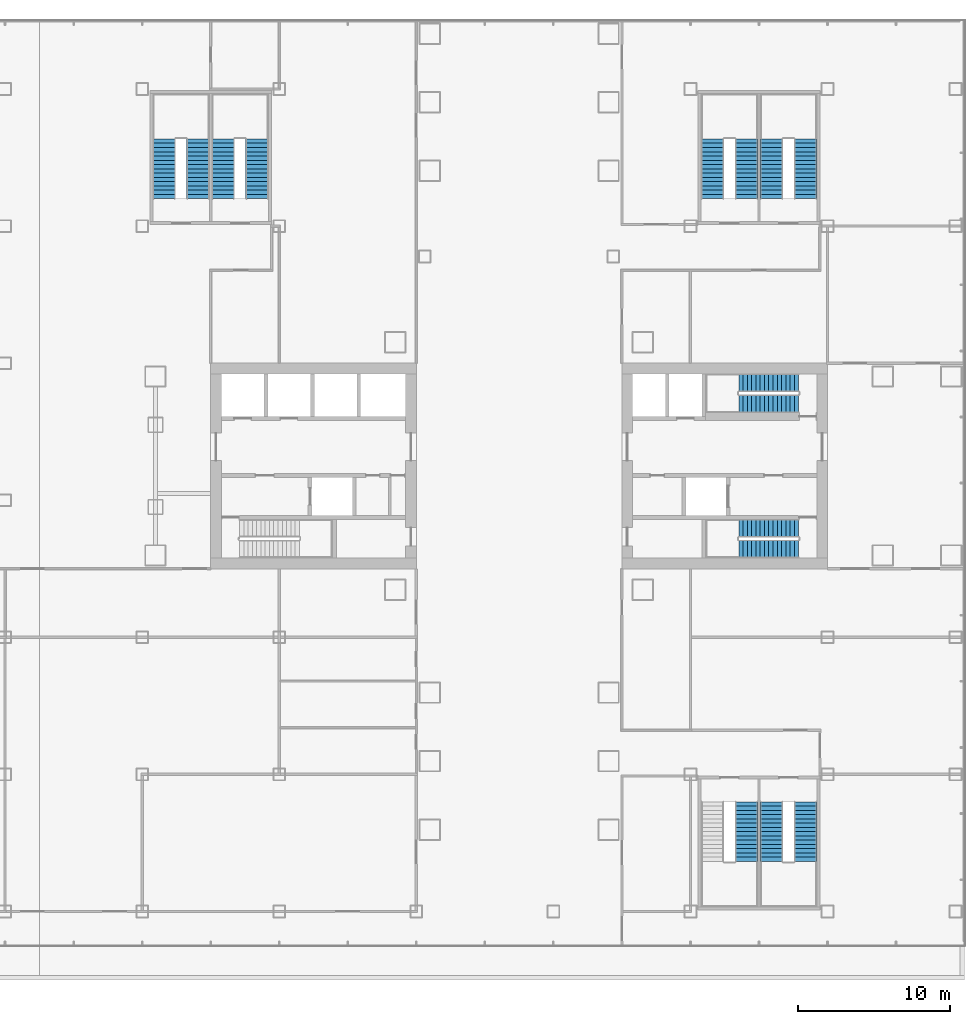
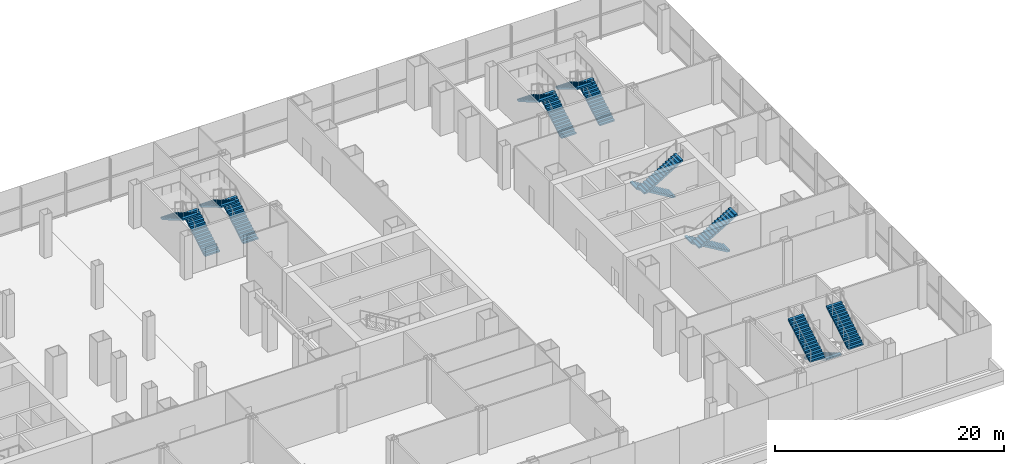
# One storey, part 25 of 30: 15 stair flights, 8 elements without a shape of their own.
"""IFC4 building model written with IfcOpenShell, lengths in metres."""

import ifcopenshell
import ifcopenshell.guid

model = None  # the IFC model being written
_history = None  # IfcOwnerHistory: only IFC2X3 demands one
_inside = {}  # id of a spatial element -> (the spatial element, [elements in it])
_under = {}  # id of a project, library or spatial element -> (it, [spatial elements below it])
_declared = {}  # id of a project -> (the project, [libraries it declares])
_typed = {}  # id of a type object -> (the type object, [elements of that type])
_made_of = {}  # id of a material, layer set ... -> (it, [elements and type objects made of it])


def new_model(schema):
    """Start an empty IFC model of exactly this schema.

    Asked for "IFC4X3", IfcOpenShell would pick the latest addendum, in which some entities
    have other attributes; the version numbers below select the first issue.
    IFC2X3 requires an IfcOwnerHistory on every rooted entity: one is made here for all.
    """
    global model, _history
    if schema == "IFC4X3":
        model = ifcopenshell.file(schema_version=(4, 3, 0, 0))
    else:
        model = ifcopenshell.file(schema=schema)
    _inside.clear()
    _under.clear()
    _declared.clear()
    _typed.clear()
    _made_of.clear()
    _history = None
    if model.schema == "IFC2X3":
        org = make("IfcOrganization", Name="unknown")
        user = make(
            "IfcPersonAndOrganization",
            ThePerson=make("IfcPerson", FamilyName="unknown"),
            TheOrganization=org,
        )
        app = make(
            "IfcApplication",
            ApplicationDeveloper=org,
            Version="unknown",
            ApplicationFullName="unknown",
            ApplicationIdentifier="unknown",
        )
        _history = make(
            "IfcOwnerHistory",
            OwningUser=user,
            OwningApplication=app,
            ChangeAction="ADDED",
            CreationDate=0,
        )
    return model


def make(cls, **values):
    """One entity of the class cls with the attributes given. An attribute that is None is left unset."""
    return model.create_entity(
        cls, **{name: value for name, value in values.items() if value is not None}
    )


def rooted(cls, **values):
    """An entity with a GlobalId (a new one), such as an element, a storey or a relation."""
    return make(cls, GlobalId=ifcopenshell.guid.new(), OwnerHistory=_history, **values)


def si_unit(unit_type, name, prefix=None):
    """IfcSIUnit, for example si_unit("LENGTHUNIT", "METRE", prefix="MILLI")."""
    return make("IfcSIUnit", UnitType=unit_type, Prefix=prefix, Name=name)


def assignment(units):
    """IfcUnitAssignment: the units of a project."""
    return None if units is None else make("IfcUnitAssignment", Units=units)


def point(xyz):
    """IfcCartesianPoint."""
    return None if xyz is None else make("IfcCartesianPoint", Coordinates=xyz)


def direction(xyz):
    """IfcDirection."""
    return None if xyz is None else make("IfcDirection", DirectionRatios=xyz)


def frame(location, z_axis=None, x_axis=None):
    """IfcAxis2Placement3D, a coordinate frame: its origin and axes. An axis left out is left unset."""
    return make(
        "IfcAxis2Placement3D",
        Location=point(location),
        Axis=direction(z_axis),
        RefDirection=direction(x_axis),
    )


def origin():
    """The frame at (0, 0, 0) with its axes left unset."""
    return frame((0.0, 0.0, 0.0))


def place(relative_to, where):
    """IfcLocalPlacement: puts the frame where relative to a parent placement (None: the world)."""
    return make(
        "IfcLocalPlacement", PlacementRelTo=relative_to, RelativePlacement=where
    )


def context(
    kind, dimensions, precision=None, world=None, true_north=None, identifier=None
):
    """IfcGeometricRepresentationContext, for example the 3D "Model" context."""
    return make(
        "IfcGeometricRepresentationContext",
        ContextIdentifier=identifier,
        ContextType=kind,
        CoordinateSpaceDimension=dimensions,
        Precision=precision,
        WorldCoordinateSystem=world,
        TrueNorth=true_north,
    )


def subcontext(parent, identifier, kind, view, scale=None):
    """IfcGeometricRepresentationSubContext, for example "Body" below "Model"."""
    return make(
        "IfcGeometricRepresentationSubContext",
        ContextIdentifier=identifier,
        ContextType=kind,
        ParentContext=parent,
        TargetScale=scale,
        TargetView=view,
    )


def project(units=None, contexts=None):
    """IfcProject with its units and contexts."""
    return rooted(
        "IfcProject",
        Name="project",
        RepresentationContexts=contexts,
        UnitsInContext=assignment(units),
    )


def spatial(cls, under=None, at=None, **own):
    """A site, building, storey or space (cls), placed at a placement, below another one or the project."""
    s = rooted(cls, ObjectPlacement=at, **own)
    if under is not None:
        _under.setdefault(under.id(), (under, []))[1].append(s)
    return s


def polyline(points):
    """IfcPolyline through the points."""
    return make("IfcPolyline", Points=[point(p) for p in points])


def outline(outer, holes=None, kind="AREA"):
    """IfcArbitraryClosedProfileDef: a profile drawn as a closed curve; with holes, ...WithVoids."""
    if holes is None:
        return make("IfcArbitraryClosedProfileDef", ProfileType=kind, OuterCurve=outer)
    return make(
        "IfcArbitraryProfileDefWithVoids",
        ProfileType=kind,
        OuterCurve=outer,
        InnerCurves=holes,
    )


def extrude(swept, where, along, depth):
    """IfcExtrudedAreaSolid: the profile swept, set in the frame where, extruded along a direction by depth."""
    return make(
        "IfcExtrudedAreaSolid",
        SweptArea=swept,
        Position=where,
        ExtrudedDirection=direction(along),
        Depth=depth,
    )


def shape(context_of_items, identifier, shape_type, items):
    """IfcShapeRepresentation: the items that make up one representation, for example the "Body"."""
    return make(
        "IfcShapeRepresentation",
        ContextOfItems=context_of_items,
        RepresentationIdentifier=identifier,
        RepresentationType=shape_type,
        Items=items,
    )


def material(Name=None, Category=None):
    """IfcMaterial."""
    return make("IfcMaterial", Name=Name, Category=Category)


def made_of(thing, what):
    """Note that an element or type object is made of a material, layer set ...; save() writes the relation."""
    if what is not None:
        _made_of.setdefault(what.id(), (what, []))[1].append(thing)
    return thing


def type_object(cls, material=None, **own):
    """A type object (cls), such as IfcWallType, which elements share."""
    return made_of(rooted(cls, **own), material)


def element(
    cls,
    number,
    at=None,
    inside=None,
    cuts=None,
    type_object=None,
    material=None,
    context=None,
    identifier="Body",
    shape_type=None,
    held_by="IfcProductDefinitionShape",
    body=None,
    shapes=None,
    **own,
):
    """One element of the class cls, such as IfcWall. Its Tag is "e" and its number.

    at: its placement. inside: the storey or other place that contains it. cuts: it is an
    opening in that element (IfcRelVoidsElement). A single representation is given by context,
    identifier, shape_type and body (its items); several are given by shapes. held_by: the class
    of the entity that holds the representations. save() writes the other relations.
    """
    e = rooted(cls, Tag="e%d" % number, ObjectPlacement=at, **own)
    if body is not None:
        shapes = [shape(context, identifier, shape_type, body)]
    if shapes is not None:
        e.Representation = make(held_by, Representations=shapes)
    if inside is not None:
        _inside.setdefault(inside.id(), (inside, []))[1].append(e)
    if cuts is not None:
        rooted(
            "IfcRelVoidsElement", RelatingBuildingElement=cuts, RelatedOpeningElement=e
        )
    if type_object is not None:
        _typed.setdefault(type_object.id(), (type_object, []))[1].append(e)
    return made_of(e, material)


def aggregate(whole, parts):
    """IfcRelAggregates: a whole, such as a stair, and the parts it consists of."""
    return rooted("IfcRelAggregates", RelatingObject=whole, RelatedObjects=parts)


def save(model, path):
    """Write the relations noted so far, then the file.

    IfcRelAggregates (storeys below a building ...), IfcRelContainedInSpatialStructure (elements
    in a storey), IfcRelDefinesByType, IfcRelAssociatesMaterial and IfcRelDeclares: one each for
    every whole, place, type object, material and project.
    """
    for whole, parts in _under.values():
        aggregate(whole, parts)
    for where, things in _inside.values():
        rooted(
            "IfcRelContainedInSpatialStructure",
            RelatedElements=things,
            RelatingStructure=where,
        )
    for kind, things in _typed.values():
        rooted("IfcRelDefinesByType", RelatedObjects=things, RelatingType=kind)
    for what, things in _made_of.values():
        rooted("IfcRelAssociatesMaterial", RelatedObjects=things, RelatingMaterial=what)
    for by, libraries in _declared.values():
        rooted("IfcRelDeclares", RelatingContext=by, RelatedDefinitions=libraries)
    model.write(path)


model = new_model("IFC4")

# Units and contexts
model_context = context("Model", 3, precision=1e-05, world=origin(), true_north=direction((0.0, 1.0)))
body_context = subcontext(model_context, "Body", "Model", "MODEL_VIEW")
ifc_project = project(units=[si_unit("LENGTHUNIT", "METRE"), si_unit("AREAUNIT", "SQUARE_METRE"), si_unit("VOLUMEUNIT", "CUBIC_METRE"), si_unit("PLANEANGLEUNIT", "RADIAN"), si_unit("MASSUNIT", "GRAM", prefix="KILO")], contexts=[model_context])

# Site, building, storey
site_placement = place(None, origin())
site = spatial("IfcSite", under=ifc_project, at=site_placement, CompositionType="ELEMENT")
building_placement = place(site_placement, origin())
building = spatial("IfcBuilding", under=site, at=building_placement, Name="Shamsa Quay Exchange Towers", CompositionType="ELEMENT")
storey_placement = place(building_placement, frame((0.0, 0.0, 23.5)))
storey = spatial("IfcBuildingStorey", under=building, at=storey_placement, Name="L04", CompositionType="ELEMENT", Elevation=23.5)

# Stair, stair flights
ifc_material = material(Name="Concrete C40/50", Category="concrete")
stair_type_1 = type_object("IfcStairType", Name="EXIT STAIR 30 RISERS 167 MM", PredefinedType="HALF_TURN_STAIR", material=ifc_material)
stair_1_placement = place(storey_placement, origin())
stair_1 = element("IfcStair", 1, at=stair_1_placement, inside=storey, type_object=stair_type_1, Name="L04 Exit stair ST5", PredefinedType="HALF_TURN_STAIR")
stair_flight_type_1 = type_object("IfcStairFlightType", Name="EXIT STAIR FLIGHT 15 RISERS 167 MM", PredefinedType="STRAIGHT", material=ifc_material)
stair_flight_1_placement = place(storey_placement, frame((52.10009765625, -4.10009765625, 0.0), z_axis=(0.0, 0.0, 1.0), x_axis=(-1.0, 0.0, 0.0)))
stair_flight_1 = element("IfcStairFlight", 2, at=stair_flight_1_placement, type_object=stair_flight_type_1, Name="ST5 flight 1", NumberOfRisers=15, NumberOfTreads=14, PredefinedType="STRAIGHT", RiserHeight=0.166666667, TreadLength=0.28, context=body_context, shape_type="SweptSolid", body=[
    extrude(outline(polyline([(0.0, 0.0), (0.0, 0.166748046875), (0.280029296875, 0.166748046875), (0.280029296875, 0.333251953125), (0.56005859375, 0.333251953125), (0.56005859375, 0.5), (0.840087890625, 0.5), (0.840087890625, 0.666748046875), (1.1201171875, 0.666748046875), (1.1201171875, 0.833251953125), (1.39990234375, 0.833251953125), (1.39990234375, 1.0), (1.679931640625, 1.0), (1.679931640625, 1.166748046875), (1.9599609375, 1.166748046875), (1.9599609375, 1.333251953125), (2.239990234375, 1.333251953125), (2.239990234375, 1.5), (2.52001953125, 1.5), (2.52001953125, 1.666748046875), (2.800048828125, 1.666748046875), (2.800048828125, 1.833251953125), (3.080078125, 1.833251953125), (3.080078125, 2.0), (3.360107421875, 2.0), (3.360107421875, 2.166748046875), (3.639892578125, 2.166748046875), (3.639892578125, 2.333251953125), (3.919921875, 2.333251953125), (3.919921875, 2.5), (3.919921875, 2.170654296875), (0.2734375, 0.0), (0.0, 0.0)])), frame((0.0, 0.60009765625, 0.0), z_axis=(0.0, -1.0, 0.0), x_axis=(1.0, 0.0, 0.0)), (0.0, 0.0, 1.0), 1.199951171875),
])
stair_flight_2_placement = place(storey_placement, frame((48.179931640625, -5.449951171875, 2.5)))
stair_flight_2 = element("IfcStairFlight", 3, at=stair_flight_2_placement, type_object=stair_flight_type_1, Name="ST5 flight 2", NumberOfRisers=15, NumberOfTreads=14, PredefinedType="STRAIGHT", RiserHeight=0.166666667, TreadLength=0.28, context=body_context, shape_type="SweptSolid", body=[
    extrude(outline(polyline([(0.0, 0.0), (0.0, 0.166748046875), (0.280029296875, 0.166748046875), (0.280029296875, 0.333251953125), (0.56005859375, 0.333251953125), (0.56005859375, 0.5), (0.840087890625, 0.5), (0.840087890625, 0.666748046875), (1.1201171875, 0.666748046875), (1.1201171875, 0.833251953125), (1.39990234375, 0.833251953125), (1.39990234375, 1.0), (1.679931640625, 1.0), (1.679931640625, 1.166748046875), (1.9599609375, 1.166748046875), (1.9599609375, 1.333251953125), (2.239990234375, 1.333251953125), (2.239990234375, 1.5), (2.52001953125, 1.5), (2.52001953125, 1.666748046875), (2.800048828125, 1.666748046875), (2.800048828125, 1.833251953125), (3.080078125, 1.833251953125), (3.080078125, 2.0), (3.360107421875, 2.0), (3.360107421875, 2.166748046875), (3.639892578125, 2.166748046875), (3.639892578125, 2.333251953125), (3.919921875, 2.333251953125), (3.919921875, 2.5), (3.919921875, 2.170654296875), (0.2734375, 0.0), (0.0, 0.0)])), frame((0.0, 0.60009765625, 0.0), z_axis=(0.0, -1.0, 0.0), x_axis=(1.0, 0.0, 0.0)), (0.0, 0.0, 1.0), 1.199951171875),
])
aggregate(stair_1, [stair_flight_1, stair_flight_2])

stair_2_placement = place(storey_placement, origin())
stair_2 = element("IfcStair", 4, at=stair_2_placement, inside=storey, type_object=stair_type_1, Name="L04 Exit stair ST6", PredefinedType="HALF_TURN_STAIR")
stair_flight_3_placement = place(storey_placement, frame((52.10009765625, 5.449951171875, 0.0), z_axis=(0.0, 0.0, 1.0), x_axis=(-1.0, 0.0, 0.0)))
stair_flight_3 = element("IfcStairFlight", 5, at=stair_flight_3_placement, type_object=stair_flight_type_1, Name="ST6 flight 1", NumberOfRisers=15, NumberOfTreads=14, PredefinedType="STRAIGHT", RiserHeight=0.166666667, TreadLength=0.28, context=body_context, shape_type="SweptSolid", body=[
    extrude(outline(polyline([(0.0, 0.0), (0.0, 0.166748046875), (0.280029296875, 0.166748046875), (0.280029296875, 0.333251953125), (0.56005859375, 0.333251953125), (0.56005859375, 0.5), (0.840087890625, 0.5), (0.840087890625, 0.666748046875), (1.1201171875, 0.666748046875), (1.1201171875, 0.833251953125), (1.39990234375, 0.833251953125), (1.39990234375, 1.0), (1.679931640625, 1.0), (1.679931640625, 1.166748046875), (1.9599609375, 1.166748046875), (1.9599609375, 1.333251953125), (2.239990234375, 1.333251953125), (2.239990234375, 1.5), (2.52001953125, 1.5), (2.52001953125, 1.666748046875), (2.800048828125, 1.666748046875), (2.800048828125, 1.833251953125), (3.080078125, 1.833251953125), (3.080078125, 2.0), (3.360107421875, 2.0), (3.360107421875, 2.166748046875), (3.639892578125, 2.166748046875), (3.639892578125, 2.333251953125), (3.919921875, 2.333251953125), (3.919921875, 2.5), (3.919921875, 2.170654296875), (0.2734375, 0.0), (0.0, 0.0)])), frame((0.0, 0.60009765625, 0.0), z_axis=(0.0, -1.0, 0.0), x_axis=(1.0, 0.0, 0.0)), (0.0, 0.0, 1.0), 1.199951171875),
])
stair_flight_4_placement = place(storey_placement, frame((48.179931640625, 4.10009765625, 2.5)))
stair_flight_4 = element("IfcStairFlight", 6, at=stair_flight_4_placement, type_object=stair_flight_type_1, Name="ST6 flight 2", NumberOfRisers=15, NumberOfTreads=14, PredefinedType="STRAIGHT", RiserHeight=0.166666667, TreadLength=0.28, context=body_context, shape_type="SweptSolid", body=[
    extrude(outline(polyline([(0.0, 0.0), (0.0, 0.166748046875), (0.280029296875, 0.166748046875), (0.280029296875, 0.333251953125), (0.56005859375, 0.333251953125), (0.56005859375, 0.5), (0.840087890625, 0.5), (0.840087890625, 0.666748046875), (1.1201171875, 0.666748046875), (1.1201171875, 0.833251953125), (1.39990234375, 0.833251953125), (1.39990234375, 1.0), (1.679931640625, 1.0), (1.679931640625, 1.166748046875), (1.9599609375, 1.166748046875), (1.9599609375, 1.333251953125), (2.239990234375, 1.333251953125), (2.239990234375, 1.5), (2.52001953125, 1.5), (2.52001953125, 1.666748046875), (2.800048828125, 1.666748046875), (2.800048828125, 1.833251953125), (3.080078125, 1.833251953125), (3.080078125, 2.0), (3.360107421875, 2.0), (3.360107421875, 2.166748046875), (3.639892578125, 2.166748046875), (3.639892578125, 2.333251953125), (3.919921875, 2.333251953125), (3.919921875, 2.5), (3.919921875, 2.170654296875), (0.2734375, 0.0), (0.0, 0.0)])), frame((0.0, 0.60009765625, 0.0), z_axis=(0.0, -1.0, 0.0), x_axis=(1.0, 0.0, 0.0)), (0.0, 0.0, 1.0), 1.199951171875),
])
aggregate(stair_2, [stair_flight_3, stair_flight_4])

stair_type_2 = type_object("IfcStairType", Name="PODIUM EXIT STAIR 30 RISERS 167 MM 1500 WIDE", PredefinedType="HALF_TURN_STAIR", material=ifc_material)
stair_3_placement = place(storey_placement, origin())
stair_3 = element("IfcStair", 7, at=stair_3_placement, inside=storey, type_object=stair_type_2, Name="L04 Exit stair PS3A", PredefinedType="HALF_TURN_STAIR")
stair_flight_type_2 = type_object("IfcStairFlightType", Name="PODIUM EXIT STAIR FLIGHT 15 RISERS 167 MM 1500 WIDE", PredefinedType="STRAIGHT", material=ifc_material)
stair_flight_5_placement = place(storey_placement, frame((12.675048828125, 17.550048828125, 0.0), z_axis=(0.0, 0.0, 1.0), x_axis=(0.0, 1.0, 0.0)))
stair_flight_5 = element("IfcStairFlight", 8, at=stair_flight_5_placement, type_object=stair_flight_type_2, Name="PS3A flight 1", NumberOfRisers=15, NumberOfTreads=14, PredefinedType="STRAIGHT", RiserHeight=0.166666667, TreadLength=0.28, context=body_context, shape_type="SweptSolid", body=[
    extrude(outline(polyline([(0.0, 0.0), (0.0, 0.166748046875), (0.280029296875, 0.166748046875), (0.280029296875, 0.333251953125), (0.56005859375, 0.333251953125), (0.56005859375, 0.5), (0.840087890625, 0.5), (0.840087890625, 0.666748046875), (1.1201171875, 0.666748046875), (1.1201171875, 0.833251953125), (1.39990234375, 0.833251953125), (1.39990234375, 1.0), (1.679931640625, 1.0), (1.679931640625, 1.166748046875), (1.9599609375, 1.166748046875), (1.9599609375, 1.333251953125), (2.239990234375, 1.333251953125), (2.239990234375, 1.5), (2.52001953125, 1.5), (2.52001953125, 1.666748046875), (2.800048828125, 1.666748046875), (2.800048828125, 1.833251953125), (3.080078125, 1.833251953125), (3.080078125, 2.0), (3.360107421875, 2.0), (3.360107421875, 2.166748046875), (3.639892578125, 2.166748046875), (3.639892578125, 2.333251953125), (3.919921875, 2.333251953125), (3.919921875, 2.5), (3.919921875, 2.158935546875), (0.29296875, 0.0), (0.0, 0.0)])), frame((0.0, 0.75, 0.0), z_axis=(0.0, -1.0, 0.0), x_axis=(1.0, 0.0, 0.0)), (0.0, 0.0, 1.0), 1.5),
])
stair_flight_6_placement = place(storey_placement, frame((10.449951171875, 21.469970703125, 2.5), z_axis=(0.0, 0.0, 1.0), x_axis=(0.0, -1.0, 0.0)))
stair_flight_6 = element("IfcStairFlight", 9, at=stair_flight_6_placement, type_object=stair_flight_type_2, Name="PS3A flight 2", NumberOfRisers=15, NumberOfTreads=14, PredefinedType="STRAIGHT", RiserHeight=0.166666667, TreadLength=0.28, context=body_context, shape_type="SweptSolid", body=[
    extrude(outline(polyline([(0.0, 0.0), (0.0, 0.166748046875), (0.280029296875, 0.166748046875), (0.280029296875, 0.333251953125), (0.56005859375, 0.333251953125), (0.56005859375, 0.5), (0.840087890625, 0.5), (0.840087890625, 0.666748046875), (1.1201171875, 0.666748046875), (1.1201171875, 0.833251953125), (1.39990234375, 0.833251953125), (1.39990234375, 1.0), (1.679931640625, 1.0), (1.679931640625, 1.166748046875), (1.9599609375, 1.166748046875), (1.9599609375, 1.333251953125), (2.239990234375, 1.333251953125), (2.239990234375, 1.5), (2.52001953125, 1.5), (2.52001953125, 1.666748046875), (2.800048828125, 1.666748046875), (2.800048828125, 1.833251953125), (3.080078125, 1.833251953125), (3.080078125, 2.0), (3.360107421875, 2.0), (3.360107421875, 2.166748046875), (3.639892578125, 2.166748046875), (3.639892578125, 2.333251953125), (3.919921875, 2.333251953125), (3.919921875, 2.5), (3.919921875, 2.158935546875), (0.29296875, 0.0), (0.0, 0.0)])), frame((0.0, 0.75, 0.0), z_axis=(0.0, -1.0, 0.0), x_axis=(1.0, 0.0, 0.0)), (0.0, 0.0, 1.0), 1.5),
])
aggregate(stair_3, [stair_flight_5, stair_flight_6])

stair_4_placement = place(storey_placement, origin())
stair_4 = element("IfcStair", 10, at=stair_4_placement, inside=storey, type_object=stair_type_2, Name="L04 Exit stair PS3B", PredefinedType="HALF_TURN_STAIR")
stair_flight_7_placement = place(storey_placement, frame((16.550048828125, 17.550048828125, 0.0), z_axis=(0.0, 0.0, 1.0), x_axis=(0.0, 1.0, 0.0)))
stair_flight_7 = element("IfcStairFlight", 11, at=stair_flight_7_placement, type_object=stair_flight_type_2, Name="PS3B flight 1", NumberOfRisers=15, NumberOfTreads=14, PredefinedType="STRAIGHT", RiserHeight=0.166666667, TreadLength=0.28, context=body_context, shape_type="SweptSolid", body=[
    extrude(outline(polyline([(0.0, 0.0), (0.0, 0.166748046875), (0.280029296875, 0.166748046875), (0.280029296875, 0.333251953125), (0.56005859375, 0.333251953125), (0.56005859375, 0.5), (0.840087890625, 0.5), (0.840087890625, 0.666748046875), (1.1201171875, 0.666748046875), (1.1201171875, 0.833251953125), (1.39990234375, 0.833251953125), (1.39990234375, 1.0), (1.679931640625, 1.0), (1.679931640625, 1.166748046875), (1.9599609375, 1.166748046875), (1.9599609375, 1.333251953125), (2.239990234375, 1.333251953125), (2.239990234375, 1.5), (2.52001953125, 1.5), (2.52001953125, 1.666748046875), (2.800048828125, 1.666748046875), (2.800048828125, 1.833251953125), (3.080078125, 1.833251953125), (3.080078125, 2.0), (3.360107421875, 2.0), (3.360107421875, 2.166748046875), (3.639892578125, 2.166748046875), (3.639892578125, 2.333251953125), (3.919921875, 2.333251953125), (3.919921875, 2.5), (3.919921875, 2.158935546875), (0.29296875, 0.0), (0.0, 0.0)])), frame((0.0, 0.75, 0.0), z_axis=(0.0, -1.0, 0.0), x_axis=(1.0, 0.0, 0.0)), (0.0, 0.0, 1.0), 1.5),
])
stair_flight_8_placement = place(storey_placement, frame((14.324951171875, 21.469970703125, 2.5), z_axis=(0.0, 0.0, 1.0), x_axis=(0.0, -1.0, 0.0)))
stair_flight_8 = element("IfcStairFlight", 12, at=stair_flight_8_placement, type_object=stair_flight_type_2, Name="PS3B flight 2", NumberOfRisers=15, NumberOfTreads=14, PredefinedType="STRAIGHT", RiserHeight=0.166666667, TreadLength=0.28, context=body_context, shape_type="SweptSolid", body=[
    extrude(outline(polyline([(0.0, 0.0), (0.0, 0.166748046875), (0.280029296875, 0.166748046875), (0.280029296875, 0.333251953125), (0.56005859375, 0.333251953125), (0.56005859375, 0.5), (0.840087890625, 0.5), (0.840087890625, 0.666748046875), (1.1201171875, 0.666748046875), (1.1201171875, 0.833251953125), (1.39990234375, 0.833251953125), (1.39990234375, 1.0), (1.679931640625, 1.0), (1.679931640625, 1.166748046875), (1.9599609375, 1.166748046875), (1.9599609375, 1.333251953125), (2.239990234375, 1.333251953125), (2.239990234375, 1.5), (2.52001953125, 1.5), (2.52001953125, 1.666748046875), (2.800048828125, 1.666748046875), (2.800048828125, 1.833251953125), (3.080078125, 1.833251953125), (3.080078125, 2.0), (3.360107421875, 2.0), (3.360107421875, 2.166748046875), (3.639892578125, 2.166748046875), (3.639892578125, 2.333251953125), (3.919921875, 2.333251953125), (3.919921875, 2.5), (3.919921875, 2.158935546875), (0.29296875, 0.0), (0.0, 0.0)])), frame((0.0, 0.75, 0.0), z_axis=(0.0, -1.0, 0.0), x_axis=(1.0, 0.0, 0.0)), (0.0, 0.0, 1.0), 1.5),
])
aggregate(stair_4, [stair_flight_7, stair_flight_8])

stair_5_placement = place(storey_placement, origin())
stair_5 = element("IfcStair", 13, at=stair_5_placement, inside=storey, type_object=stair_type_2, Name="L04 Exit stair PS4A", PredefinedType="HALF_TURN_STAIR")
stair_flight_9_placement = place(storey_placement, frame((48.675048828125, 17.550048828125, 0.0), z_axis=(0.0, 0.0, 1.0), x_axis=(0.0, 1.0, 0.0)))
stair_flight_9 = element("IfcStairFlight", 14, at=stair_flight_9_placement, type_object=stair_flight_type_2, Name="PS4A flight 1", NumberOfRisers=15, NumberOfTreads=14, PredefinedType="STRAIGHT", RiserHeight=0.166666667, TreadLength=0.28, context=body_context, shape_type="SweptSolid", body=[
    extrude(outline(polyline([(0.0, 0.0), (0.0, 0.166748046875), (0.280029296875, 0.166748046875), (0.280029296875, 0.333251953125), (0.56005859375, 0.333251953125), (0.56005859375, 0.5), (0.840087890625, 0.5), (0.840087890625, 0.666748046875), (1.1201171875, 0.666748046875), (1.1201171875, 0.833251953125), (1.39990234375, 0.833251953125), (1.39990234375, 1.0), (1.679931640625, 1.0), (1.679931640625, 1.166748046875), (1.9599609375, 1.166748046875), (1.9599609375, 1.333251953125), (2.239990234375, 1.333251953125), (2.239990234375, 1.5), (2.52001953125, 1.5), (2.52001953125, 1.666748046875), (2.800048828125, 1.666748046875), (2.800048828125, 1.833251953125), (3.080078125, 1.833251953125), (3.080078125, 2.0), (3.360107421875, 2.0), (3.360107421875, 2.166748046875), (3.639892578125, 2.166748046875), (3.639892578125, 2.333251953125), (3.919921875, 2.333251953125), (3.919921875, 2.5), (3.919921875, 2.158935546875), (0.29296875, 0.0), (0.0, 0.0)])), frame((0.0, 0.75, 0.0), z_axis=(0.0, -1.0, 0.0), x_axis=(1.0, 0.0, 0.0)), (0.0, 0.0, 1.0), 1.5),
])
stair_flight_10_placement = place(storey_placement, frame((46.449951171875, 21.469970703125, 2.5), z_axis=(0.0, 0.0, 1.0), x_axis=(0.0, -1.0, 0.0)))
stair_flight_10 = element("IfcStairFlight", 15, at=stair_flight_10_placement, type_object=stair_flight_type_2, Name="PS4A flight 2", NumberOfRisers=15, NumberOfTreads=14, PredefinedType="STRAIGHT", RiserHeight=0.166666667, TreadLength=0.28, context=body_context, shape_type="SweptSolid", body=[
    extrude(outline(polyline([(0.0, 0.0), (0.0, 0.166748046875), (0.280029296875, 0.166748046875), (0.280029296875, 0.333251953125), (0.56005859375, 0.333251953125), (0.56005859375, 0.5), (0.840087890625, 0.5), (0.840087890625, 0.666748046875), (1.1201171875, 0.666748046875), (1.1201171875, 0.833251953125), (1.39990234375, 0.833251953125), (1.39990234375, 1.0), (1.679931640625, 1.0), (1.679931640625, 1.166748046875), (1.9599609375, 1.166748046875), (1.9599609375, 1.333251953125), (2.239990234375, 1.333251953125), (2.239990234375, 1.5), (2.52001953125, 1.5), (2.52001953125, 1.666748046875), (2.800048828125, 1.666748046875), (2.800048828125, 1.833251953125), (3.080078125, 1.833251953125), (3.080078125, 2.0), (3.360107421875, 2.0), (3.360107421875, 2.166748046875), (3.639892578125, 2.166748046875), (3.639892578125, 2.333251953125), (3.919921875, 2.333251953125), (3.919921875, 2.5), (3.919921875, 2.158935546875), (0.29296875, 0.0), (0.0, 0.0)])), frame((0.0, 0.75, 0.0), z_axis=(0.0, -1.0, 0.0), x_axis=(1.0, 0.0, 0.0)), (0.0, 0.0, 1.0), 1.5),
])
aggregate(stair_5, [stair_flight_9, stair_flight_10])

stair_6_placement = place(storey_placement, origin())
stair_6 = element("IfcStair", 16, at=stair_6_placement, inside=storey, type_object=stair_type_2, Name="L04 Exit stair PS4B", PredefinedType="HALF_TURN_STAIR")
stair_flight_11_placement = place(storey_placement, frame((52.550048828125, 17.550048828125, 0.0), z_axis=(0.0, 0.0, 1.0), x_axis=(0.0, 1.0, 0.0)))
stair_flight_11 = element("IfcStairFlight", 17, at=stair_flight_11_placement, type_object=stair_flight_type_2, Name="PS4B flight 1", NumberOfRisers=15, NumberOfTreads=14, PredefinedType="STRAIGHT", RiserHeight=0.166666667, TreadLength=0.28, context=body_context, shape_type="SweptSolid", body=[
    extrude(outline(polyline([(0.0, 0.0), (0.0, 0.166748046875), (0.280029296875, 0.166748046875), (0.280029296875, 0.333251953125), (0.56005859375, 0.333251953125), (0.56005859375, 0.5), (0.840087890625, 0.5), (0.840087890625, 0.666748046875), (1.1201171875, 0.666748046875), (1.1201171875, 0.833251953125), (1.39990234375, 0.833251953125), (1.39990234375, 1.0), (1.679931640625, 1.0), (1.679931640625, 1.166748046875), (1.9599609375, 1.166748046875), (1.9599609375, 1.333251953125), (2.239990234375, 1.333251953125), (2.239990234375, 1.5), (2.52001953125, 1.5), (2.52001953125, 1.666748046875), (2.800048828125, 1.666748046875), (2.800048828125, 1.833251953125), (3.080078125, 1.833251953125), (3.080078125, 2.0), (3.360107421875, 2.0), (3.360107421875, 2.166748046875), (3.639892578125, 2.166748046875), (3.639892578125, 2.333251953125), (3.919921875, 2.333251953125), (3.919921875, 2.5), (3.919921875, 2.158935546875), (0.29296875, 0.0), (0.0, 0.0)])), frame((0.0, 0.75, 0.0), z_axis=(0.0, -1.0, 0.0), x_axis=(1.0, 0.0, 0.0)), (0.0, 0.0, 1.0), 1.5),
])
stair_flight_12_placement = place(storey_placement, frame((50.324951171875, 21.469970703125, 2.5), z_axis=(0.0, 0.0, 1.0), x_axis=(0.0, -1.0, 0.0)))
stair_flight_12 = element("IfcStairFlight", 18, at=stair_flight_12_placement, type_object=stair_flight_type_2, Name="PS4B flight 2", NumberOfRisers=15, NumberOfTreads=14, PredefinedType="STRAIGHT", RiserHeight=0.166666667, TreadLength=0.28, context=body_context, shape_type="SweptSolid", body=[
    extrude(outline(polyline([(0.0, 0.0), (0.0, 0.166748046875), (0.280029296875, 0.166748046875), (0.280029296875, 0.333251953125), (0.56005859375, 0.333251953125), (0.56005859375, 0.5), (0.840087890625, 0.5), (0.840087890625, 0.666748046875), (1.1201171875, 0.666748046875), (1.1201171875, 0.833251953125), (1.39990234375, 0.833251953125), (1.39990234375, 1.0), (1.679931640625, 1.0), (1.679931640625, 1.166748046875), (1.9599609375, 1.166748046875), (1.9599609375, 1.333251953125), (2.239990234375, 1.333251953125), (2.239990234375, 1.5), (2.52001953125, 1.5), (2.52001953125, 1.666748046875), (2.800048828125, 1.666748046875), (2.800048828125, 1.833251953125), (3.080078125, 1.833251953125), (3.080078125, 2.0), (3.360107421875, 2.0), (3.360107421875, 2.166748046875), (3.639892578125, 2.166748046875), (3.639892578125, 2.333251953125), (3.919921875, 2.333251953125), (3.919921875, 2.5), (3.919921875, 2.158935546875), (0.29296875, 0.0), (0.0, 0.0)])), frame((0.0, 0.75, 0.0), z_axis=(0.0, -1.0, 0.0), x_axis=(1.0, 0.0, 0.0)), (0.0, 0.0, 1.0), 1.5),
])
aggregate(stair_6, [stair_flight_11, stair_flight_12])

# Stair, stair flight
stair_7_placement = place(storey_placement, origin())
stair_7 = element("IfcStair", 19, at=stair_7_placement, inside=storey, type_object=stair_type_2, Name="L04 Exit stair PS6A", PredefinedType="HALF_TURN_STAIR")
stair_flight_13_placement = place(storey_placement, frame((48.675048828125, -25.969970703125, 2.5), z_axis=(0.0, 0.0, 1.0), x_axis=(0.0, 1.0, 0.0)))
stair_flight_13 = element("IfcStairFlight", 20, at=stair_flight_13_placement, type_object=stair_flight_type_2, Name="PS6A flight 2", NumberOfRisers=15, NumberOfTreads=14, PredefinedType="STRAIGHT", RiserHeight=0.166666667, TreadLength=0.28, context=body_context, shape_type="SweptSolid", body=[
    extrude(outline(polyline([(0.0, 0.0), (0.0, 0.166748046875), (0.280029296875, 0.166748046875), (0.280029296875, 0.333251953125), (0.56005859375, 0.333251953125), (0.56005859375, 0.5), (0.840087890625, 0.5), (0.840087890625, 0.666748046875), (1.1201171875, 0.666748046875), (1.1201171875, 0.833251953125), (1.39990234375, 0.833251953125), (1.39990234375, 1.0), (1.679931640625, 1.0), (1.679931640625, 1.166748046875), (1.9599609375, 1.166748046875), (1.9599609375, 1.333251953125), (2.239990234375, 1.333251953125), (2.239990234375, 1.5), (2.52001953125, 1.5), (2.52001953125, 1.666748046875), (2.800048828125, 1.666748046875), (2.800048828125, 1.833251953125), (3.080078125, 1.833251953125), (3.080078125, 2.0), (3.360107421875, 2.0), (3.360107421875, 2.166748046875), (3.639892578125, 2.166748046875), (3.639892578125, 2.333251953125), (3.919921875, 2.333251953125), (3.919921875, 2.5), (3.919921875, 2.158935546875), (0.29296875, 0.0), (0.0, 0.0)])), frame((0.0, 0.75, 0.0), z_axis=(0.0, -1.0, 0.0), x_axis=(1.0, 0.0, 0.0)), (0.0, 0.0, 1.0), 1.5),
])
aggregate(stair_7, [stair_flight_13])

# Stair, stair flights
stair_8_placement = place(storey_placement, origin())
stair_8 = element("IfcStair", 21, at=stair_8_placement, inside=storey, type_object=stair_type_2, Name="L04 Exit stair PS6B", PredefinedType="HALF_TURN_STAIR")
stair_flight_14_placement = place(storey_placement, frame((50.324951171875, -22.050048828125, 0.0), z_axis=(0.0, 0.0, 1.0), x_axis=(0.0, -1.0, 0.0)))
stair_flight_14 = element("IfcStairFlight", 22, at=stair_flight_14_placement, type_object=stair_flight_type_2, Name="PS6B flight 1", NumberOfRisers=15, NumberOfTreads=14, PredefinedType="STRAIGHT", RiserHeight=0.166666667, TreadLength=0.28, context=body_context, shape_type="SweptSolid", body=[
    extrude(outline(polyline([(0.0, 0.0), (0.0, 0.166748046875), (0.280029296875, 0.166748046875), (0.280029296875, 0.333251953125), (0.56005859375, 0.333251953125), (0.56005859375, 0.5), (0.840087890625, 0.5), (0.840087890625, 0.666748046875), (1.1201171875, 0.666748046875), (1.1201171875, 0.833251953125), (1.39990234375, 0.833251953125), (1.39990234375, 1.0), (1.679931640625, 1.0), (1.679931640625, 1.166748046875), (1.9599609375, 1.166748046875), (1.9599609375, 1.333251953125), (2.239990234375, 1.333251953125), (2.239990234375, 1.5), (2.52001953125, 1.5), (2.52001953125, 1.666748046875), (2.800048828125, 1.666748046875), (2.800048828125, 1.833251953125), (3.080078125, 1.833251953125), (3.080078125, 2.0), (3.360107421875, 2.0), (3.360107421875, 2.166748046875), (3.639892578125, 2.166748046875), (3.639892578125, 2.333251953125), (3.919921875, 2.333251953125), (3.919921875, 2.5), (3.919921875, 2.158935546875), (0.29296875, 0.0), (0.0, 0.0)])), frame((0.0, 0.75, 0.0), z_axis=(0.0, -1.0, 0.0), x_axis=(1.0, 0.0, 0.0)), (0.0, 0.0, 1.0), 1.5),
])
stair_flight_15_placement = place(storey_placement, frame((52.550048828125, -25.969970703125, 2.5), z_axis=(0.0, 0.0, 1.0), x_axis=(0.0, 1.0, 0.0)))
stair_flight_15 = element("IfcStairFlight", 23, at=stair_flight_15_placement, type_object=stair_flight_type_2, Name="PS6B flight 2", NumberOfRisers=15, NumberOfTreads=14, PredefinedType="STRAIGHT", RiserHeight=0.166666667, TreadLength=0.28, context=body_context, shape_type="SweptSolid", body=[
    extrude(outline(polyline([(0.0, 0.0), (0.0, 0.166748046875), (0.280029296875, 0.166748046875), (0.280029296875, 0.333251953125), (0.56005859375, 0.333251953125), (0.56005859375, 0.5), (0.840087890625, 0.5), (0.840087890625, 0.666748046875), (1.1201171875, 0.666748046875), (1.1201171875, 0.833251953125), (1.39990234375, 0.833251953125), (1.39990234375, 1.0), (1.679931640625, 1.0), (1.679931640625, 1.166748046875), (1.9599609375, 1.166748046875), (1.9599609375, 1.333251953125), (2.239990234375, 1.333251953125), (2.239990234375, 1.5), (2.52001953125, 1.5), (2.52001953125, 1.666748046875), (2.800048828125, 1.666748046875), (2.800048828125, 1.833251953125), (3.080078125, 1.833251953125), (3.080078125, 2.0), (3.360107421875, 2.0), (3.360107421875, 2.166748046875), (3.639892578125, 2.166748046875), (3.639892578125, 2.333251953125), (3.919921875, 2.333251953125), (3.919921875, 2.5), (3.919921875, 2.158935546875), (0.29296875, 0.0), (0.0, 0.0)])), frame((0.0, 0.75, 0.0), z_axis=(0.0, -1.0, 0.0), x_axis=(1.0, 0.0, 0.0)), (0.0, 0.0, 1.0), 1.5),
])
aggregate(stair_8, [stair_flight_14, stair_flight_15])

save(model, "model.ifc")
